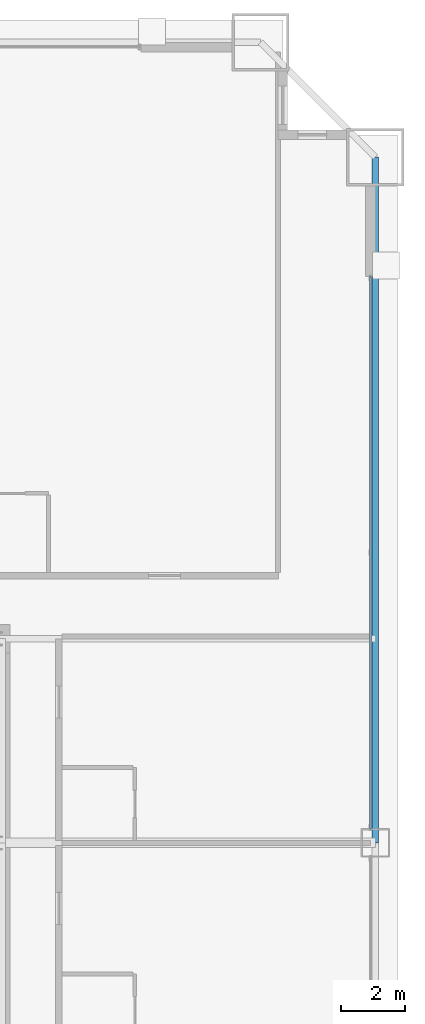
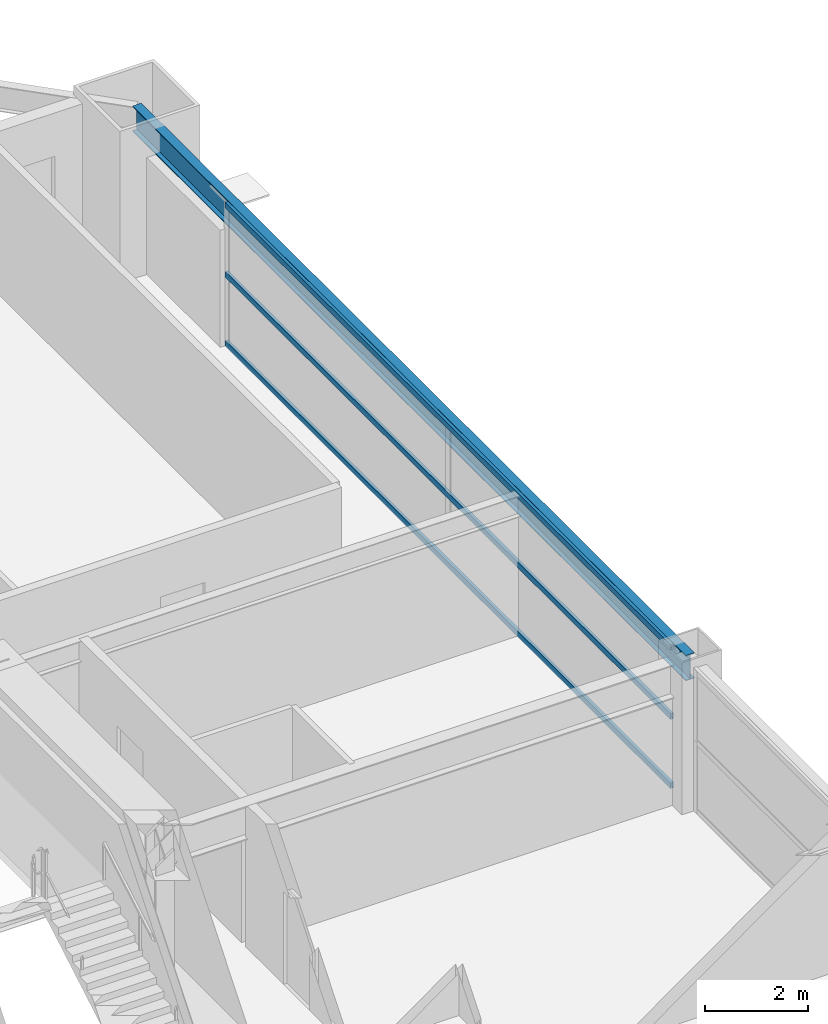
# One storey, part 33 of 43: 3 members, 1 beam, 1 element without a shape of its own.
"""IFC4 building model written with IfcOpenShell, lengths in metres."""

from ifc_helpers import new_model, si_unit, direction, frame, origin, origin_2d, place, context, subcontext, project, spatial, hollow_rectangle, i_section, extrude, source, transform, mapped, material, layer, layer_set, material_profile, profile_set, type_object, element, aggregate, save


model = new_model("IFC4")

# Units and contexts
model_context = context("Model", 3, precision=1e-05, world=origin(), true_north=direction((0.0, 1.0)))
body_context = subcontext(model_context, "Body", "Model", "MODEL_VIEW")
ifc_project = project(units=[si_unit("LENGTHUNIT", "METRE"), si_unit("AREAUNIT", "SQUARE_METRE"), si_unit("VOLUMEUNIT", "CUBIC_METRE"), si_unit("PLANEANGLEUNIT", "RADIAN"), si_unit("MASSUNIT", "GRAM", prefix="KILO"), si_unit("THERMODYNAMICTEMPERATUREUNIT", "KELVIN"), si_unit("POWERUNIT", "WATT")], contexts=[model_context])

# Site, building, storey
site_placement = place(None, origin())
site = spatial("IfcSite", under=ifc_project, at=site_placement, CompositionType="ELEMENT")
building_placement = place(site_placement, origin())
building = spatial("IfcBuilding", under=site, at=building_placement, Name="Yuzanri Waterfront Tower", CompositionType="ELEMENT")
storey_placement = place(building_placement, frame((0.0, 0.0, 64.0)))
storey = spatial("IfcBuildingStorey", under=building, at=storey_placement, Name="L16", CompositionType="ELEMENT", Elevation=64.0)

# Beam
ifc_material_1 = material(Name="Steel Q355B", Category="steel")
ifc_material_profile_1 = material_profile(ifc_material_1, i_section(OverallWidth=0.199951171875, OverallDepth=0.60009765625, WebThickness=0.010986328125, FlangeThickness=0.01708984375, at=origin_2d()), Name="HN 600x200x11x17")
ifc_profile_set_1 = profile_set([ifc_material_profile_1], Name="Steel Q355B")
beam_type = type_object("IfcBeamType", Name="Perimeter Spandrel Q355B HN 600x200", PredefinedType="SPANDREL", material=ifc_profile_set_1)
shared_shape_1 = source(origin(), body_context, "Body", "SweptSolid", [
    extrude(i_section(OverallWidth=0.199951171875, OverallDepth=0.60009765625, WebThickness=0.010986328125, FlangeThickness=0.01708984375, at=origin_2d()), origin(), (0.0, 0.0, 1.0), 21.5),
])
beam_placement = place(storey_placement, frame((62.10009765625, 25.800048828125, 3.080078125), z_axis=(0.0, 1.0, 0.0), x_axis=(-1.0, 0.0, 0.0)))
element("IfcBeam", 1, at=beam_placement, inside=storey, type_object=beam_type, Name="L16 Perimeter Spandrel E2-E3", PredefinedType="SPANDREL", context=body_context, shape_type="MappedRepresentation", body=[
    mapped(shared_shape_1, transform((0.0, 0.0, 0.0), scale=1.0)),
])

# Curtain wall, members
ifc_material_2 = material(Name="Anodized Architectural Bronze", Category="metal")
ifc_layer = layer(ifc_material_2, 0.159912109375)
ifc_layer_set = layer_set([ifc_layer], Name="Anodized Architectural Bronze")
curtain_wall_type = type_object("IfcCurtainWallType", Name="Anodized Bronze Hotel Lower-Tier Recessed Unitized Curtain Wall 8100", PredefinedType="NOTDEFINED", material=ifc_layer_set)
curtain_wall_placement = place(storey_placement, origin())
curtain_wall = element("IfcCurtainWall", 2, at=curtain_wall_placement, inside=storey, type_object=curtain_wall_type, Name="L16 Curtain Wall CW-L16-ER", PredefinedType="NOTDEFINED")
ifc_material_3 = material(Name="Anodized Architectural Bronze", Category="metal")
ifc_material_profile_2 = material_profile(ifc_material_3, hollow_rectangle(XDim=0.070068359375, YDim=0.135009765625, WallThickness=0.00341796875, at=origin_2d()), Name="CWT 70x135")
ifc_profile_set_2 = profile_set([ifc_material_profile_2], Name="Anodized Architectural Bronze")
member_type = type_object("IfcMemberType", Name="Anodized Bronze Standard Curtain-Wall Transom 70x135", PredefinedType="USERDEFINED", material=ifc_profile_set_2)
shared_shape_2 = source(origin(), body_context, "Body", "SweptSolid", [
    extrude(hollow_rectangle(XDim=0.070068359375, YDim=0.135009765625, WallThickness=0.00341796875, at=origin_2d()), origin(), (0.0, 0.0, 1.0), 17.300048828125),
])
member_1_placement = place(storey_placement, frame((61.949951171875, 26.25, 0.050048828125), z_axis=(0.0, 1.0, 0.0), x_axis=(-1.0, 0.0, 0.0)))
member_1 = element("IfcMember", 3, at=member_1_placement, type_object=member_type, Name="CW-L16-ER Transom 1", ObjectType="TRANSOM", PredefinedType="USERDEFINED", context=body_context, shape_type="MappedRepresentation", body=[
    mapped(shared_shape_2, transform((0.0, 0.0, 0.0), scale=1.0)),
])
member_2_placement = place(storey_placement, frame((61.949951171875, 26.25, 1.68994140625), z_axis=(0.0, 1.0, 0.0), x_axis=(-1.0, 0.0, 0.0)))
member_2 = element("IfcMember", 4, at=member_2_placement, type_object=member_type, Name="CW-L16-ER Transom 2", ObjectType="TRANSOM", PredefinedType="USERDEFINED", context=body_context, shape_type="MappedRepresentation", body=[
    mapped(shared_shape_2, transform((0.0, 0.0, 0.0), scale=1.0)),
])
member_3_placement = place(storey_placement, frame((61.949951171875, 26.25, 3.330078125), z_axis=(0.0, 1.0, 0.0), x_axis=(-1.0, 0.0, 0.0)))
member_3 = element("IfcMember", 5, at=member_3_placement, type_object=member_type, Name="CW-L16-ER Transom 3", ObjectType="TRANSOM", PredefinedType="USERDEFINED", context=body_context, shape_type="MappedRepresentation", body=[
    mapped(shared_shape_2, transform((0.0, 0.0, 0.0), scale=1.0)),
])
aggregate(curtain_wall, [member_1, member_2, member_3])

save(model, "model.ifc")
